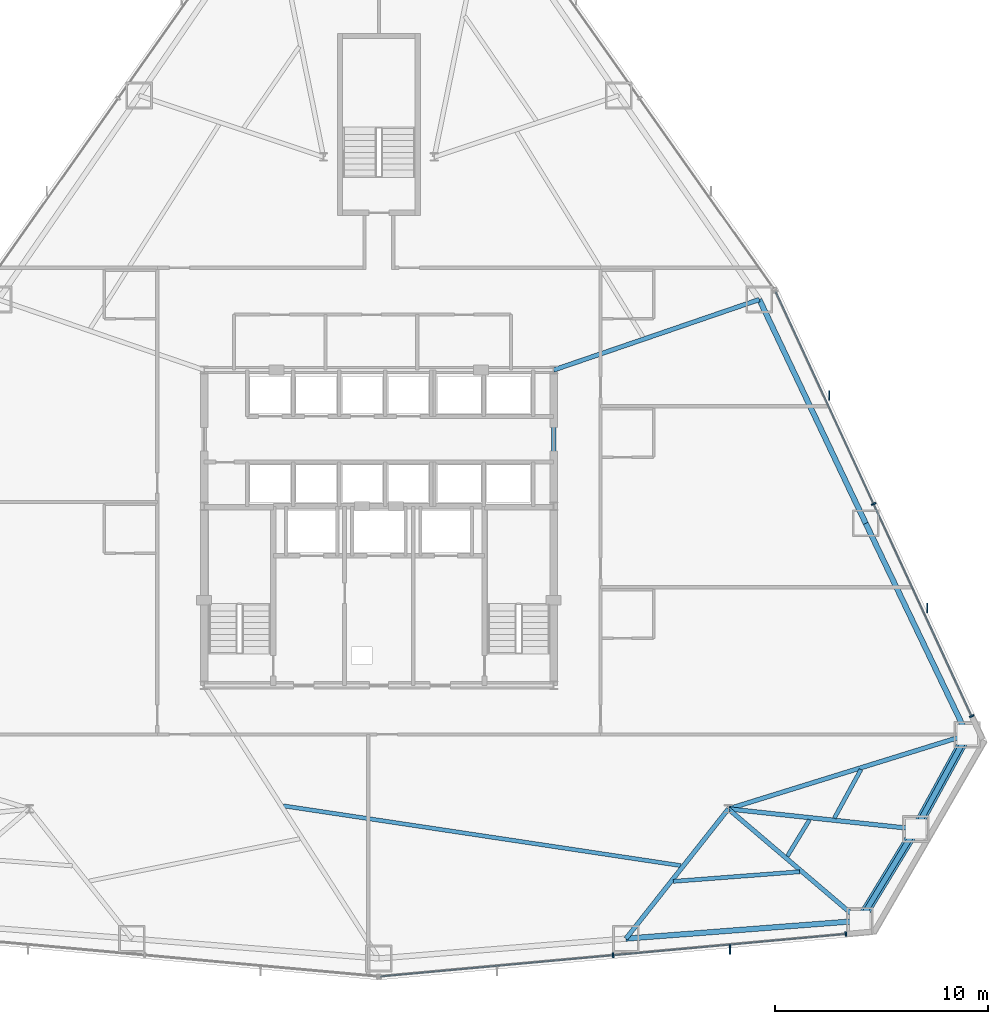
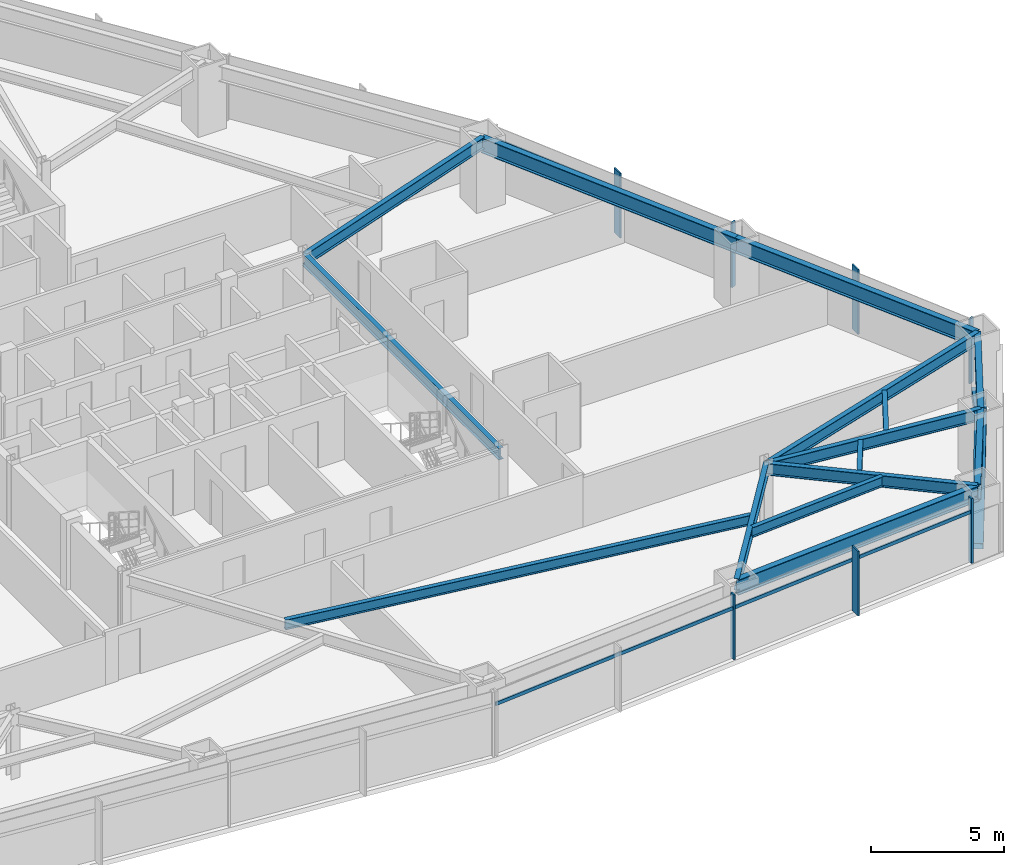
# One storey, part 6 of 12: 15 beams, 11 members, 2 elements without a shape of their own.
"""IFC4 building model written with IfcOpenShell, lengths in metres."""

from ifc_helpers import new_model, si_unit, direction, frame, origin, origin_2d, place, context, subcontext, project, spatial, rectangle, hollow_rectangle, i_section, extrude, source, transform, mapped, material, layer, layer_set, material_profile, profile_set, type_object, type_shapes, element, aggregate, save


model = new_model("IFC4")

# Units and contexts
model_context = context("Model", 3, precision=1e-05, world=origin(), true_north=direction((0.0, 1.0)))
body_context = subcontext(model_context, "Body", "Model", "MODEL_VIEW")
ifc_project = project(units=[si_unit("LENGTHUNIT", "METRE"), si_unit("AREAUNIT", "SQUARE_METRE"), si_unit("VOLUMEUNIT", "CUBIC_METRE"), si_unit("PLANEANGLEUNIT", "RADIAN"), si_unit("MASSUNIT", "GRAM", prefix="KILO")], contexts=[model_context])

# Site, building, storey
site_placement = place(None, origin())
site = spatial("IfcSite", under=ifc_project, at=site_placement, CompositionType="ELEMENT")
building_placement = place(site_placement, origin())
building = spatial("IfcBuilding", under=site, at=building_placement, Name="Varakhsha Concourse Tower", CompositionType="ELEMENT")
storey_placement = place(building_placement, frame((0.0, 0.0, 40.0)))
storey = spatial("IfcBuildingStorey", under=building, at=storey_placement, Name="L10", CompositionType="ELEMENT", Elevation=40.0)

# Beams
ifc_material_1 = material(Name="Structural Steel ASTM A992 Grade 50", Category="steel")
ifc_material_profile_1 = material_profile(ifc_material_1, i_section(OverallWidth=0.19091796875, OverallDepth=0.45703125, WebThickness=0.009033203125, FlangeThickness=0.013916015625, at=origin_2d()), Name="W18X50")
ifc_profile_set_1 = profile_set([ifc_material_profile_1], Name="Structural Steel ASTM A992 Grade 50")
beam_type_1 = type_object("IfcBeamType", Name="BM-JST-W18X50", PredefinedType="JOIST", material=ifc_profile_set_1)
beam_1_placement = place(storey_placement, frame((35.516845703125, 10.743896484375, 2.75146484375), z_axis=(0.988878100932, -0.14872828076, 0.0), x_axis=(0.14872828076, 0.988878100932, 0.0)))
element("IfcBeam", 1, at=beam_1_placement, inside=storey, type_object=beam_type_1, Name="BM-TJST-L10-11", PredefinedType="JOIST", context=body_context, shape_type="SweptSolid", body=[
    extrude(i_section(OverallWidth=0.19091796875, OverallDepth=0.45703125, WebThickness=0.009033203125, FlangeThickness=0.013916015625, at=origin_2d()), origin(), (0.0, 0.0, 1.0), 18.869384765625),
])
beam_2_placement = place(storey_placement, frame((53.81787109375, 7.198974609375, 2.75146484375), z_axis=(0.997106436116, 0.076018123203, 0.0), x_axis=(-0.076018123203, 0.997106436116, 0.0)))
element("IfcBeam", 2, at=beam_2_placement, inside=storey, type_object=beam_type_1, Name="BM-TJST-L10-12", PredefinedType="JOIST", context=body_context, shape_type="SweptSolid", body=[
    extrude(i_section(OverallWidth=0.19091796875, OverallDepth=0.45703125, WebThickness=0.009033203125, FlangeThickness=0.013916015625, at=origin_2d()), origin(), (0.0, 0.0, 1.0), 5.944580078125),
])
beam_3_placement = place(storey_placement, frame((59.171875, 8.38330078125, 2.75146484375), z_axis=(0.519892692072, 0.854231577928, 0.0), x_axis=(-0.854231577928, 0.519892692072, 0.0)))
element("IfcBeam", 3, at=beam_3_placement, inside=storey, type_object=beam_type_1, Name="BM-TJST-L10-13", PredefinedType="JOIST", context=body_context, shape_type="SweptSolid", body=[
    extrude(i_section(OverallWidth=0.19091796875, OverallDepth=0.45703125, WebThickness=0.009033203125, FlangeThickness=0.013916015625, at=origin_2d()), origin(), (0.0, 0.0, 1.0), 1.99853515625),
])
beam_4_placement = place(storey_placement, frame((61.3759765625, 10.167724609375, 2.75146484375), z_axis=(0.479732261901, 0.877414928578, 0.0), x_axis=(-0.877414928578, 0.479732261901, 0.0)))
element("IfcBeam", 4, at=beam_4_placement, inside=storey, type_object=beam_type_1, Name="BM-TJST-L10-14", PredefinedType="JOIST", context=body_context, shape_type="SweptSolid", body=[
    extrude(i_section(OverallWidth=0.19091796875, OverallDepth=0.45703125, WebThickness=0.009033203125, FlangeThickness=0.013916015625, at=origin_2d()), origin(), (0.0, 0.0, 1.0), 2.603515625),
])
ifc_material_profile_2 = material_profile(ifc_material_1, i_section(OverallWidth=0.2109375, OverallDepth=0.5390625, WebThickness=0.011962890625, FlangeThickness=0.01904296875, at=origin_2d()), Name="W21X73")
ifc_profile_set_2 = profile_set([ifc_material_profile_2], Name="Structural Steel ASTM A992 Grade 50")
beam_type_2 = type_object("IfcBeamType", Name="BM-RAD-W21X73", PredefinedType="BEAM", material=ifc_profile_set_2)
beam_5_placement = place(storey_placement, frame((48.199951171875, 16.39990234375, 2.71044921875), z_axis=(0.0, 1.0, 0.0), x_axis=(-1.0, 0.0, 0.0)))
element("IfcBeam", 5, at=beam_5_placement, inside=storey, type_object=beam_type_2, Name="BM-TCORE-L10-CE", PredefinedType="BEAM", context=body_context, shape_type="SweptSolid", body=[
    extrude(i_section(OverallWidth=0.2109375, OverallDepth=0.5390625, WebThickness=0.011962890625, FlangeThickness=0.01904296875, at=origin_2d()), origin(), (0.0, 0.0, 1.0), 14.800048828125),
])
beam_6_placement = place(storey_placement, frame((56.39990234375, 10.60009765625, 2.71044921875), z_axis=(-0.619646329508, -0.78488115427, 0.0), x_axis=(0.78488115427, -0.619646329508, 0.0)))
element("IfcBeam", 6, at=beam_6_placement, inside=storey, type_object=beam_type_2, Name="L10 Radial Floor Girder 12", PredefinedType="BEAM", context=body_context, shape_type="SweptSolid", body=[
    extrude(i_section(OverallWidth=0.2109375, OverallDepth=0.5390625, WebThickness=0.011962890625, FlangeThickness=0.01904296875, at=origin_2d()), origin(), (0.0, 0.0, 1.0), 7.757080078125),
])
beam_7_placement = place(storey_placement, frame((56.39990234375, 10.60009765625, 2.71044921875), z_axis=(0.761498250571, -0.648166964892, 0.0), x_axis=(0.648166964892, 0.761498250571, 0.0)))
element("IfcBeam", 7, at=beam_7_placement, inside=storey, type_object=beam_type_2, Name="L10 Radial Floor Girder 13", PredefinedType="BEAM", context=body_context, shape_type="SweptSolid", body=[
    extrude(i_section(OverallWidth=0.2109375, OverallDepth=0.5390625, WebThickness=0.011962890625, FlangeThickness=0.01904296875, at=origin_2d()), origin(), (0.0, 0.0, 1.0), 8.10205078125),
])
beam_8_placement = place(storey_placement, frame((56.39990234375, 10.60009765625, 2.71044921875), z_axis=(0.994280497061, -0.106800248893, 0.0), x_axis=(0.106800248893, 0.994280497061, 0.0)))
element("IfcBeam", 8, at=beam_8_placement, inside=storey, type_object=beam_type_2, Name="L10 Radial Floor Girder 14", PredefinedType="BEAM", context=body_context, shape_type="SweptSolid", body=[
    extrude(i_section(OverallWidth=0.2109375, OverallDepth=0.5390625, WebThickness=0.011962890625, FlangeThickness=0.01904296875, at=origin_2d()), origin(), (0.0, 0.0, 1.0), 8.842041015625),
])
beam_9_placement = place(storey_placement, frame((56.39990234375, 10.60009765625, 2.71044921875), z_axis=(0.955056624601, 0.2964234198, 0.0), x_axis=(-0.2964234198, 0.955056624601, 0.0)))
element("IfcBeam", 9, at=beam_9_placement, inside=storey, type_object=beam_type_2, Name="L10 Radial Floor Girder 15", PredefinedType="BEAM", context=body_context, shape_type="SweptSolid", body=[
    extrude(i_section(OverallWidth=0.2109375, OverallDepth=0.5390625, WebThickness=0.011962890625, FlangeThickness=0.01904296875, at=origin_2d()), origin(), (0.0, 0.0, 1.0), 11.73828125),
])
beam_10_placement = place(storey_placement, frame((48.199951171875, 31.199951171875, 2.71044921875), z_axis=(0.945992273848, 0.324189169805, 0.0), x_axis=(-0.324189169805, 0.945992273848, 0.0)))
element("IfcBeam", 10, at=beam_10_placement, inside=storey, type_object=beam_type_2, Name="L10 Radial Floor Girder 17", PredefinedType="BEAM", context=body_context, shape_type="SweptSolid", body=[
    extrude(i_section(OverallWidth=0.2109375, OverallDepth=0.5390625, WebThickness=0.011962890625, FlangeThickness=0.01904296875, at=origin_2d()), origin(), (0.0, 0.0, 1.0), 10.20654296875),
])
ifc_material_profile_3 = material_profile(ifc_material_1, i_section(OverallWidth=0.25390625, OverallDepth=0.701904296875, WebThickness=0.014892578125, FlangeThickness=0.028076171875, at=origin_2d()), Name="W27X129")
ifc_profile_set_3 = profile_set([ifc_material_profile_3], Name="Structural Steel ASTM A992 Grade 50")
beam_type_3 = type_object("IfcBeamType", Name="BM-SPAN-W27X129", PredefinedType="SPANDREL", material=ifc_profile_set_3)
beam_11_placement = place(storey_placement, frame((51.59326171875, 4.51171875, 2.62890625), z_axis=(0.997105791948, 0.076026572094, 0.0), x_axis=(-0.076026572094, 0.997105791948, 0.0)))
element("IfcBeam", 11, at=beam_11_placement, inside=storey, type_object=beam_type_3, Name="BM-SPAN-L10-12", PredefinedType="SPANDREL", context=body_context, shape_type="SweptSolid", body=[
    extrude(i_section(OverallWidth=0.25390625, OverallDepth=0.701904296875, WebThickness=0.014892578125, FlangeThickness=0.028076171875, at=origin_2d()), origin(), (0.0, 0.0, 1.0), 11.008056640625),
])
beam_12_placement = place(storey_placement, frame((62.569580078125, 5.3486328125, 2.62890625), z_axis=(0.519960770998, 0.85419014079, 0.0), x_axis=(-0.85419014079, 0.519960770998, 0.0)))
element("IfcBeam", 12, at=beam_12_placement, inside=storey, type_object=beam_type_3, Name="BM-SPAN-L10-13", PredefinedType="SPANDREL", context=body_context, shape_type="SweptSolid", body=[
    extrude(i_section(OverallWidth=0.25390625, OverallDepth=0.701904296875, WebThickness=0.014892578125, FlangeThickness=0.028076171875, at=origin_2d()), origin(), (0.0, 0.0, 1.0), 5.042236328125),
])
beam_13_placement = place(storey_placement, frame((65.19140625, 9.65576171875, 2.62890625), z_axis=(0.479798364466, 0.87737878334, 0.0), x_axis=(-0.87737878334, 0.479798364466, 0.0)))
element("IfcBeam", 13, at=beam_13_placement, inside=storey, type_object=beam_type_3, Name="BM-SPAN-L10-14", PredefinedType="SPANDREL", context=body_context, shape_type="SweptSolid", body=[
    extrude(i_section(OverallWidth=0.25390625, OverallDepth=0.701904296875, WebThickness=0.014892578125, FlangeThickness=0.028076171875, at=origin_2d()), origin(), (0.0, 0.0, 1.0), 5.0419921875),
])
beam_14_placement = place(storey_placement, frame((67.610595703125, 14.07958984375, 2.62890625), z_axis=(-0.432704390999, 0.901535861744, 0.0), x_axis=(-0.901535861744, -0.432704390999, 0.0)))
element("IfcBeam", 14, at=beam_14_placement, inside=storey, type_object=beam_type_3, Name="BM-SPAN-L10-15", PredefinedType="SPANDREL", context=body_context, shape_type="SweptSolid", body=[
    extrude(i_section(OverallWidth=0.25390625, OverallDepth=0.701904296875, WebThickness=0.014892578125, FlangeThickness=0.028076171875, at=origin_2d()), origin(), (0.0, 0.0, 1.0), 11.008544921875),
])
beam_15_placement = place(storey_placement, frame((62.84716796875, 24.004150390625, 2.62890625), z_axis=(-0.429213950227, 0.903202848164, 0.0), x_axis=(-0.903202848164, -0.429213950227, 0.0)))
element("IfcBeam", 15, at=beam_15_placement, inside=storey, type_object=beam_type_3, Name="BM-SPAN-L10-16", PredefinedType="SPANDREL", context=body_context, shape_type="SweptSolid", body=[
    extrude(i_section(OverallWidth=0.25390625, OverallDepth=0.701904296875, WebThickness=0.014892578125, FlangeThickness=0.028076171875, at=origin_2d()), origin(), (0.0, 0.0, 1.0), 11.63037109375),
])

# Members
ifc_material_2 = material(Name="Structural Steel ASTM A500 Grade C", Category="steel")
ifc_material_profile_4 = material_profile(ifc_material_2, hollow_rectangle(XDim=0.449951171875, YDim=0.449951171875, WallThickness=0.01904296875, at=origin_2d()), Name="HSS 450x450x19")
ifc_profile_set_4 = profile_set([ifc_material_profile_4], Name="Structural Steel ASTM A500 Grade C")
member_type_1 = type_object("IfcMemberType", Name="MB-TUBE-HSS450", PredefinedType="BRACE", material=ifc_profile_set_4)
shared_shape_1 = source(origin(), body_context, "Body", "SweptSolid", [
    extrude(hollow_rectangle(XDim=0.449951171875, YDim=0.449951171875, WallThickness=0.01904296875, at=origin_2d()), origin(), (0.0, 0.0, 1.0), 5.65478515625),
])
member_1_placement = place(storey_placement, frame((67.610595703125, 14.07958984375, 0.1201171875), z_axis=(-0.427820906288, -0.782330691487, 0.452689696481), x_axis=(0.87737878334, -0.479798364466, 0.0)))
element("IfcMember", 16, at=member_1_placement, inside=storey, type_object=member_type_1, Name="L10 Wind-Corner Tube Brace B06", PredefinedType="BRACE", context=body_context, shape_type="MappedRepresentation", body=[
    mapped(shared_shape_1, transform((0.0, 0.0, 0.0), scale=1.0)),
])
shared_shape_2 = source(origin(), body_context, "Body", "SweptSolid", [
    extrude(hollow_rectangle(XDim=0.449951171875, YDim=0.449951171875, WallThickness=0.01904296875, at=origin_2d()), origin(), (0.0, 0.0, 1.0), 5.655029296875),
])
type_shapes(member_type_1, [shared_shape_1, shared_shape_2])
member_2_placement = place(storey_placement, frame((62.569580078125, 5.3486328125, 0.1201171875), z_axis=(0.463637300017, 0.761662095809, 0.452671299998), x_axis=(-0.85419014079, 0.519960770998, 0.0)))
element("IfcMember", 17, at=member_2_placement, inside=storey, type_object=member_type_1, Name="L10 Wind-Corner Tube Brace B05", PredefinedType="BRACE", context=body_context, shape_type="MappedRepresentation", body=[
    mapped(shared_shape_2, transform((0.0, 0.0, 0.0), scale=1.0)),
])

# Curtain wall, members
ifc_material_3 = material(Name="Anodised Bronze Architectural Aluminium AA 6063-T6", Category="aluminium")
ifc_layer = layer(ifc_material_3, 0.219970703125, Name="CW-SYS-02")
ifc_layer_set = layer_set([ifc_layer], Name="Anodised Bronze Architectural Aluminium AA 6063-T6")
curtain_wall_type = type_object("IfcCurtainWallType", Name="CW-SYS-02", PredefinedType="NOTDEFINED", material=ifc_layer_set)
curtain_wall_1_placement = place(storey_placement, origin())
curtain_wall_1 = element("IfcCurtainWall", 18, at=curtain_wall_1_placement, inside=storey, type_object=curtain_wall_type, Name="L10 Crystal Curtain Wall F6", PredefinedType="NOTDEFINED")
ifc_material_profile_5 = material_profile(ifc_material_3, rectangle(XDim=0.074951171875, YDim=0.219970703125, at=origin_2d()), Name="CWM-220X75")
ifc_profile_set_5 = profile_set([ifc_material_profile_5], Name="Anodised Bronze Architectural Aluminium AA 6063-T6")
member_type_2 = type_object("IfcMemberType", Name="CWM-220X75", PredefinedType="MULLION", material=ifc_profile_set_5)
shared_shape_3 = source(origin(), body_context, "Body", "SweptSolid", [
    extrude(rectangle(XDim=0.074951171875, YDim=0.219970703125, at=origin_2d()), origin(), (0.0, 0.0, 1.0), 2.97998046875),
])
type_shapes(member_type_2, [shared_shape_3])
member_3_placement = place(storey_placement, frame((61.917724609375, 4.73046875, 0.0), z_axis=(0.0, 0.0, 1.0), x_axis=(-0.995866028897, -0.090834203295, 0.0)))
member_3 = element("IfcMember", 19, at=member_3_placement, type_object=member_type_2, Name="CW-L10-F6 Mullion 00", PredefinedType="MULLION", context=body_context, shape_type="MappedRepresentation", body=[
    mapped(shared_shape_3, transform((0.0, 0.0, 0.0), scale=1.0)),
])
member_4_placement = place(storey_placement, frame((50.991455078125, 3.73388671875, 0.0), z_axis=(0.0, 0.0, 1.0), x_axis=(-0.995866028897, -0.090834203295, 0.0)))
member_4 = element("IfcMember", 20, at=member_4_placement, type_object=member_type_2, Name="CW-L10-F6 Mullion 01", PredefinedType="MULLION", context=body_context, shape_type="MappedRepresentation", body=[
    mapped(shared_shape_3, transform((0.0, 0.0, 0.0), scale=1.0)),
])

curtain_wall_2_placement = place(storey_placement, origin())
curtain_wall_2 = element("IfcCurtainWall", 21, at=curtain_wall_2_placement, inside=storey, type_object=curtain_wall_type, Name="L10 Crystal Curtain Wall F8", PredefinedType="NOTDEFINED")
member_5_placement = place(storey_placement, frame((63.219970703125, 24.914306640625, 0.0), z_axis=(0.0, 0.0, 1.0), x_axis=(0.419269871381, -0.907861649676, 0.0)))
member_5 = element("IfcMember", 22, at=member_5_placement, type_object=member_type_2, Name="CW-L10-F8 Mullion 01", PredefinedType="MULLION", context=body_context, shape_type="MappedRepresentation", body=[
    mapped(shared_shape_3, transform((0.0, 0.0, 0.0), scale=1.0)),
])
member_6_placement = place(storey_placement, frame((67.820068359375, 14.953369140625, 0.0), z_axis=(0.0, 0.0, 1.0), x_axis=(0.419269871381, -0.907861649676, 0.0)))
member_6 = element("IfcMember", 23, at=member_6_placement, type_object=member_type_2, Name="CW-L10-F8 Mullion 02", PredefinedType="MULLION", context=body_context, shape_type="MappedRepresentation", body=[
    mapped(shared_shape_3, transform((0.0, 0.0, 0.0), scale=1.0)),
])

# Member
ifc_material_profile_6 = material_profile(ifc_material_3, rectangle(XDim=0.06494140625, YDim=0.449951171875, at=origin_2d()), Name="FIN-BRZ-450")
ifc_profile_set_6 = profile_set([ifc_material_profile_6], Name="Anodised Bronze Architectural Aluminium AA 6063-T6")
member_type_3 = type_object("IfcMemberType", Name="FIN-BRZ-450", PredefinedType="USERDEFINED", material=ifc_profile_set_6)
shared_shape_4 = source(origin(), body_context, "Body", "SweptSolid", [
    extrude(rectangle(XDim=0.06494140625, YDim=0.449951171875, at=origin_2d()), origin(), (0.0, 0.0, 1.0), 2.97998046875),
])
type_shapes(member_type_3, [shared_shape_4])
member_7_placement = place(storey_placement, frame((56.476318359375, 3.9931640625, 0.0), z_axis=(0.0, 0.0, 1.0), x_axis=(1.0, 0.0, 0.0)))
member_7 = element("IfcMember", 24, at=member_7_placement, type_object=member_type_3, Name="L10 Anodised Bronze Solar Fin F6-1", ObjectType="SOLAR FIN", PredefinedType="USERDEFINED", context=body_context, shape_type="MappedRepresentation", body=[
    mapped(shared_shape_4, transform((0.0, 0.0, 0.0), scale=1.0)),
])

member_8_placement = place(storey_placement, frame((61.1376953125, 29.9951171875, 0.0), z_axis=(0.0, 0.0, 1.0), x_axis=(1.0, 0.0, 0.0)))
member_8 = element("IfcMember", 25, at=member_8_placement, type_object=member_type_3, Name="L10 Anodised Bronze Solar Fin F8-1", ObjectType="SOLAR FIN", PredefinedType="USERDEFINED", context=body_context, shape_type="MappedRepresentation", body=[
    mapped(shared_shape_4, transform((0.0, 0.0, 0.0), scale=1.0)),
])

member_9_placement = place(storey_placement, frame((65.73779296875, 20.034423828125, 0.0), z_axis=(0.0, 0.0, 1.0), x_axis=(1.0, 0.0, 0.0)))
member_9 = element("IfcMember", 26, at=member_9_placement, type_object=member_type_3, Name="L10 Anodised Bronze Solar Fin F8-2", ObjectType="SOLAR FIN", PredefinedType="USERDEFINED", context=body_context, shape_type="MappedRepresentation", body=[
    mapped(shared_shape_4, transform((0.0, 0.0, 0.0), scale=1.0)),
])

ifc_material_profile_7 = material_profile(ifc_material_3, rectangle(XDim=0.06494140625, YDim=0.159912109375, at=origin_2d()), Name="CWT-160X65")
ifc_profile_set_7 = profile_set([ifc_material_profile_7], Name="Anodised Bronze Architectural Aluminium AA 6063-T6")
member_type_4 = type_object("IfcMemberType", Name="CWT-160X65", PredefinedType="USERDEFINED", material=ifc_profile_set_7)
shared_shape_5 = source(origin(), body_context, "Body", "SweptSolid", [
    extrude(rectangle(XDim=0.06494140625, YDim=0.159912109375, at=origin_2d()), origin(), (0.0, 0.0, 1.0), 21.943359375),
])
type_shapes(member_type_4, [shared_shape_5])
member_10_placement = place(storey_placement, frame((61.917724609375, 4.73046875, 2.330078125), z_axis=(-0.995866167966, -0.09083267859, 0.0), x_axis=(0.09083267859, -0.995866167966, 0.0)))
member_10 = element("IfcMember", 27, at=member_10_placement, type_object=member_type_4, Name="CW-L10-F6 Transom 01", ObjectType="TRANSOM", PredefinedType="USERDEFINED", context=body_context, shape_type="MappedRepresentation", body=[
    mapped(shared_shape_5, transform((0.0, 0.0, 0.0), scale=1.0)),
])

aggregate(curtain_wall_1, [member_3, member_4, member_10, member_7])

member_11_placement = place(storey_placement, frame((58.619873046875, 34.875, 2.330078125), z_axis=(0.419268418601, -0.907862320599, 0.0), x_axis=(0.907862320599, 0.419268418601, 0.0)))
member_11 = element("IfcMember", 28, at=member_11_placement, type_object=member_type_4, Name="CW-L10-F8 Transom 01", ObjectType="TRANSOM", PredefinedType="USERDEFINED", context=body_context, shape_type="MappedRepresentation", body=[
    mapped(shared_shape_5, transform((0.0, 0.0, 0.0), scale=1.0)),
])

aggregate(curtain_wall_2, [member_5, member_6, member_11, member_8, member_9])

save(model, "model.ifc")
